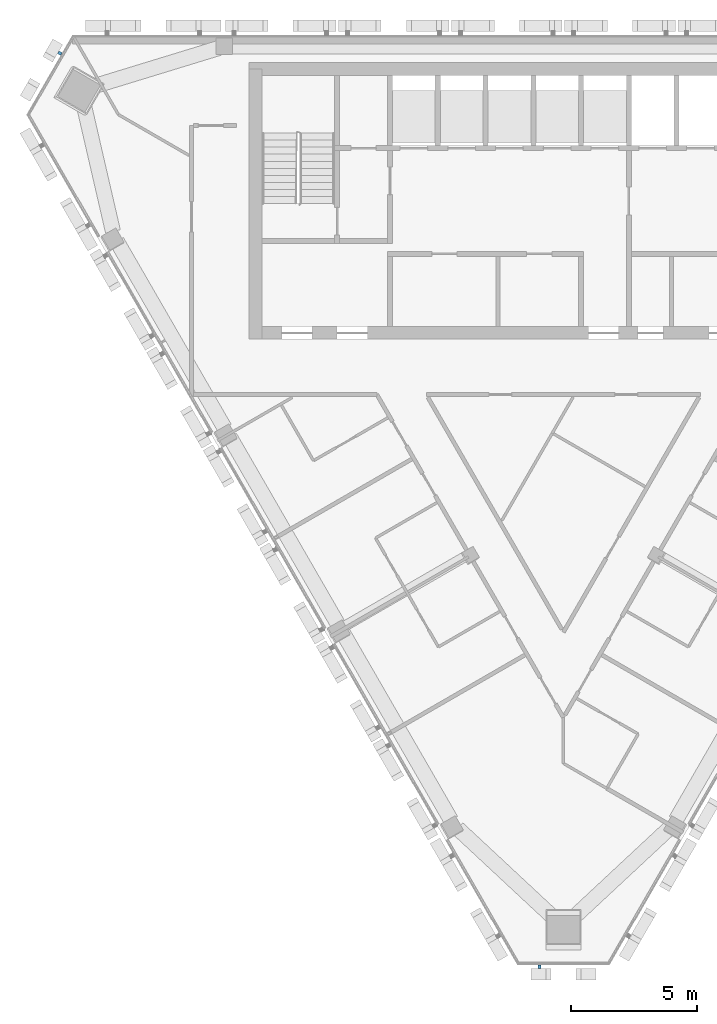
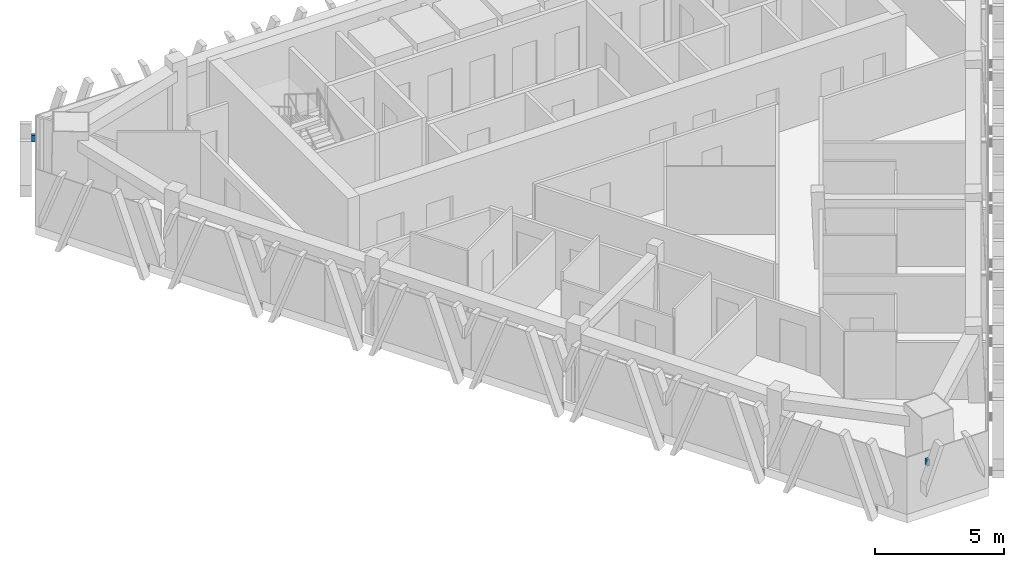
# One storey, part 9 of 12: 2 discrete accessories.
"""IFC4 building model written with IfcOpenShell, lengths in metres."""

from ifc_helpers import new_model, si_unit, direction, frame, origin, place, context, subcontext, project, spatial, polyline, outline, extrude, source, transform, mapped, material, type_object, element, save


model = new_model("IFC4")

# Units and contexts
model_context = context("Model", 3, precision=1e-05, world=origin(), true_north=direction((0.0, 1.0)))
body_context = subcontext(model_context, "Body", "Model", "MODEL_VIEW")
ifc_project = project(units=[si_unit("LENGTHUNIT", "METRE"), si_unit("AREAUNIT", "SQUARE_METRE"), si_unit("VOLUMEUNIT", "CUBIC_METRE"), si_unit("PLANEANGLEUNIT", "RADIAN"), si_unit("MASSUNIT", "GRAM", prefix="KILO")], contexts=[model_context])

# Site, building, storey
site_placement = place(None, origin())
site = spatial("IfcSite", under=ifc_project, at=site_placement, CompositionType="ELEMENT")
building_placement = place(site_placement, origin())
building = spatial("IfcBuilding", under=site, at=building_placement, Name="Altiplano Prism Tower", CompositionType="ELEMENT")
storey_placement = place(building_placement, frame((0.0, 0.0, 323.800048828125)))
storey = spatial("IfcBuildingStorey", under=building, at=storey_placement, Name="L84", CompositionType="ELEMENT", Elevation=323.800048828125)

# Discrete accessories
ifc_material = material(Name="Stainless steel", Category="steel")
discrete_accessory_type = type_object("IfcDiscreteAccessoryType", Name="Stone fin fixing prongs", PredefinedType="USERDEFINED", material=ifc_material)
shared_shape = source(origin(), body_context, "Body", "SweptSolid", [
    extrude(outline(polyline([(-1.012451171875, 2.481689453125), (-0.892333984375, 2.481689453125), (-0.892333984375, 2.78173828125), (-1.012451171875, 2.78173828125), (-1.012451171875, 2.481689453125)])), frame((0.0, 0.0, 0.0), z_axis=(0.0, -1.0, 0.0), x_axis=(1.0, 0.0, 0.0)), (0.0, 0.0, 1.0), 0.14990234375),
])
discrete_accessory_1_placement = place(storey_placement, origin())
element("IfcDiscreteAccessory", 1, at=discrete_accessory_1_placement, inside=storey, type_object=discrete_accessory_type, Name="Fin fixings L84 north-west chamfer", ObjectType="BRACKET", PredefinedType="USERDEFINED", context=body_context, shape_type="MappedRepresentation", body=[
    mapped(shared_shape, transform((64.55712890625, 103.417724609375, -0.400146484375), x_axis=(-0.49999998401, -0.866025413017, 0.0), y_axis=(0.866025413017, -0.49999998401, 0.0), z_axis=(0.0, 0.0, 1.0))),
])
discrete_accessory_2_placement = place(storey_placement, origin())
element("IfcDiscreteAccessory", 2, at=discrete_accessory_2_placement, inside=storey, type_object=discrete_accessory_type, Name="Fin fixings L84 south chamfer", ObjectType="BRACKET", PredefinedType="USERDEFINED", context=body_context, shape_type="MappedRepresentation", body=[
    mapped(shared_shape, transform((85.0, 68.00927734375, -0.400146484375), x_axis=(1.0, 0.0, 0.0), y_axis=(0.0, 1.0, 0.0), z_axis=(0.0, 0.0, 1.0))),
])

save(model, "model.ifc")
